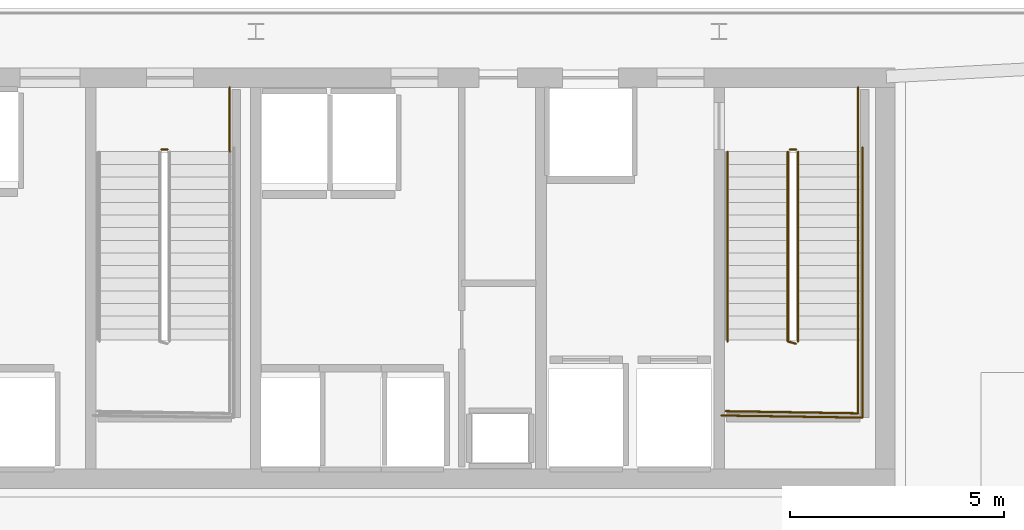
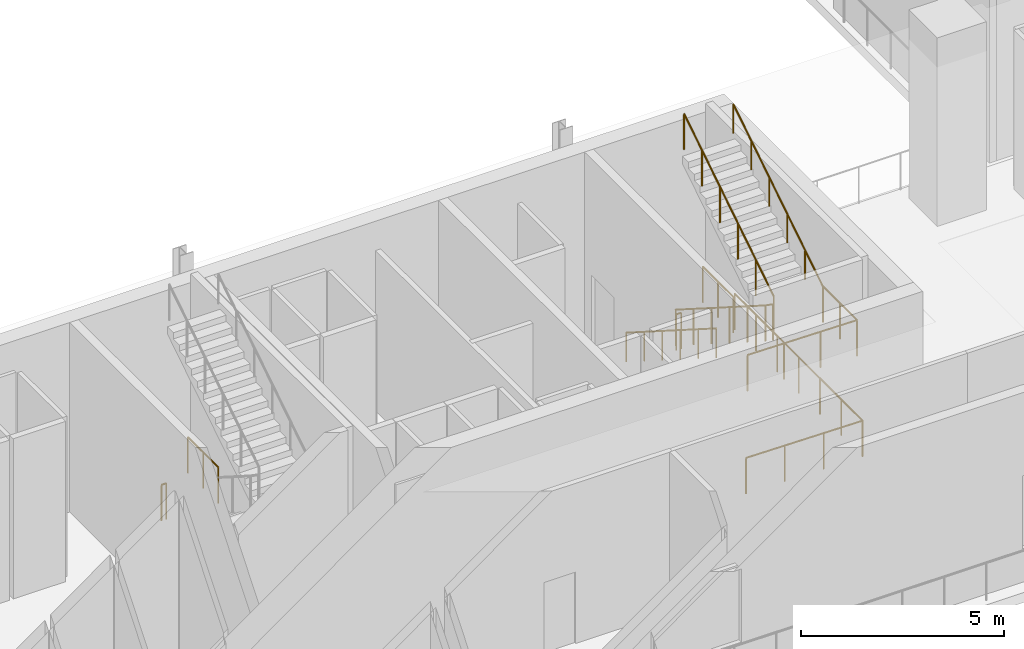
# One storey, part 20 of 29: 10 railings.
"""IFC4 building model written with IfcOpenShell, lengths in metres."""

from ifc_helpers import new_model, si_unit, direction, frame, origin, origin_2d, place, context, subcontext, project, spatial, circle, extrude, material, layer, layer_set, type_object, element, save


model = new_model("IFC4")

# Units and contexts
model_context = context("Model", 3, precision=1e-05, world=origin(), true_north=direction((0.0, 1.0)))
body_context = subcontext(model_context, "Body", "Model", "MODEL_VIEW")
ifc_project = project(units=[si_unit("LENGTHUNIT", "METRE"), si_unit("AREAUNIT", "SQUARE_METRE"), si_unit("VOLUMEUNIT", "CUBIC_METRE"), si_unit("PLANEANGLEUNIT", "RADIAN"), si_unit("MASSUNIT", "GRAM", prefix="KILO")], contexts=[model_context])

# Site, building, storey
site_placement = place(None, origin())
site = spatial("IfcSite", under=ifc_project, at=site_placement, CompositionType="ELEMENT")
building_placement = place(site_placement, origin())
building = spatial("IfcBuilding", under=site, at=building_placement, Name="Ndaravel Arena Tower", CompositionType="ELEMENT")
storey_placement = place(building_placement, frame((0.0, 0.0, 12.0)))
storey = spatial("IfcBuildingStorey", under=building, at=storey_placement, Name="L02", CompositionType="ELEMENT", Elevation=12.0)

# Railings
ifc_material_1 = material(Name="Steel S355", Category="steel")
ifc_layer_1 = layer(ifc_material_1, 0.06005859375)
ifc_layer_set_1 = layer_set([ifc_layer_1], Name="Steel S355")
railing_type_1 = type_object("IfcRailingType", Name="RAIL-STAIR-GD1100", PredefinedType="GUARDRAIL", material=ifc_layer_set_1)
railing_1_placement = place(storey_placement, frame((40.449951171875, 13.300048828125, 0.0)))
element("IfcRailing", 1, at=railing_1_placement, inside=storey, type_object=railing_type_1, Name="L02 ST-2 stair guard 4", PredefinedType="GUARDRAIL", context=body_context, shape_type="SweptSolid", body=[
    extrude(circle(Radius=0.02392578125, at=origin_2d()), frame((0.0, 0.0, 1.076171875), z_axis=(1.0, 0.0, 0.0), x_axis=(0.0, 1.0, 0.0)), (0.0, 0.0, 1.0), 0.14013671875),
    extrude(circle(Radius=0.02099609375, at=origin_2d()), origin(), (0.0, 0.0, 1.0), 1.052001953125),
    extrude(circle(Radius=0.02099609375, at=origin_2d()), frame((0.14013671875, 0.0, 0.0)), (0.0, 0.0, 1.0), 1.052001953125),
])
railing_2_placement = place(storey_placement, frame((42.0400390625, 14.75, 0.0)))
element("IfcRailing", 2, at=railing_2_placement, inside=storey, type_object=railing_type_1, Name="L02 ST-2 stair guard 5", PredefinedType="GUARDRAIL", context=body_context, shape_type="SweptSolid", body=[
    extrude(circle(Radius=0.02392578125, at=origin_2d()), frame((0.0, 0.0, 1.076171875), z_axis=(0.0, -1.0, 0.0), x_axis=(1.0, 0.0, 0.0)), (0.0, 0.0, 1.0), 1.5),
    extrude(circle(Radius=0.02099609375, at=origin_2d()), origin(), (0.0, 0.0, 1.0), 1.052001953125),
    extrude(circle(Radius=0.02099609375, at=origin_2d()), frame((0.0, -0.75, 0.0)), (0.0, 0.0, 1.0), 1.052001953125),
    extrude(circle(Radius=0.02099609375, at=origin_2d()), frame((0.0, -1.5, 0.0)), (0.0, 0.0, 1.0), 1.052001953125),
])
railing_3_placement = place(storey_placement, frame((55.050048828125, 13.25, 0.1875)))
element("IfcRailing", 3, at=railing_3_placement, inside=storey, type_object=railing_type_1, Name="L02 ST-3 stair guard 1", PredefinedType="GUARDRAIL", context=body_context, shape_type="SweptSolid", body=[
    extrude(circle(Radius=0.02392578125, at=origin_2d()), frame((0.0, 0.0, 1.076171875), z_axis=(0.0, -0.843958541447, 0.536408408136), x_axis=(1.0, 0.0, 0.0)), (0.0, 0.0, 1.0), 5.2431640625),
    extrude(circle(Radius=0.02392578125, at=origin_2d()), frame((0.0, -4.425048828125, 3.888671875), z_axis=(0.966993988697, -0.254799187253, 0.0), x_axis=(0.254799187253, 0.966993988697, 0.0)), (0.0, 0.0, 1.0), 0.196533203125),
    extrude(circle(Radius=0.02099609375, at=origin_2d()), origin(), (0.0, 0.0, 1.0), 1.052001953125),
    extrude(circle(Radius=0.02099609375, at=origin_2d()), frame((0.0, -0.885009765625, 0.5625)), (0.0, 0.0, 1.0), 1.052001953125),
    extrude(circle(Radius=0.02099609375, at=origin_2d()), frame((0.0, -1.77001953125, 1.125)), (0.0, 0.0, 1.0), 1.052001953125),
    extrude(circle(Radius=0.02099609375, at=origin_2d()), frame((0.0, -2.655029296875, 1.6875)), (0.0, 0.0, 1.0), 1.052001953125),
    extrude(circle(Radius=0.02099609375, at=origin_2d()), frame((0.0, -3.5400390625, 2.25)), (0.0, 0.0, 1.0), 1.052001953125),
    extrude(circle(Radius=0.02099609375, at=origin_2d()), frame((0.0, -4.425048828125, 2.8125)), (0.0, 0.0, 1.0), 1.052001953125),
    extrude(circle(Radius=0.02099609375, at=origin_2d()), frame((0.18994140625, -4.47509765625, 2.8125)), (0.0, 0.0, 1.0), 1.052001953125),
])
railing_4_placement = place(storey_placement, frame((56.68994140625, 8.824951171875, 3.0)))
element("IfcRailing", 4, at=railing_4_placement, inside=storey, type_object=railing_type_1, Name="L02 ST-3 stair guard 2", PredefinedType="GUARDRAIL", context=body_context, shape_type="SweptSolid", body=[
    extrude(circle(Radius=0.02392578125, at=origin_2d()), frame((0.0, 0.0, 1.076171875), z_axis=(0.0, -1.0, 0.0), x_axis=(1.0, 0.0, 0.0)), (0.0, 0.0, 1.0), 1.675048828125),
    extrude(circle(Radius=0.02392578125, at=origin_2d()), frame((0.0, -1.675048828125, 1.076171875), z_axis=(-0.999868840623, 0.016195726322, 0.0), x_axis=(-0.016195726322, -0.999868840623, 0.0)), (0.0, 0.0, 1.0), 3.09033203125),
    extrude(circle(Radius=0.02099609375, at=origin_2d()), origin(), (0.0, 0.0, 1.0), 1.052001953125),
    extrude(circle(Radius=0.02099609375, at=origin_2d()), frame((0.0, -0.83740234375, 0.0)), (0.0, 0.0, 1.0), 1.052001953125),
    extrude(circle(Radius=0.02099609375, at=origin_2d()), frame((0.0, -1.675048828125, 0.0)), (0.0, 0.0, 1.0), 1.052001953125),
    extrude(circle(Radius=0.02099609375, at=origin_2d()), frame((-1.030029296875, -1.658447265625, 0.0)), (0.0, 0.0, 1.0), 1.052001953125),
    extrude(circle(Radius=0.02099609375, at=origin_2d()), frame((-2.059814453125, -1.6416015625, 0.0)), (0.0, 0.0, 1.0), 1.052001953125),
    extrude(circle(Radius=0.02099609375, at=origin_2d()), frame((-3.08984375, -1.625, 0.0)), (0.0, 0.0, 1.0), 1.052001953125),
])
railing_5_placement = place(storey_placement, frame((55.2900390625, 8.824951171875, 3.1875)))
element("IfcRailing", 5, at=railing_5_placement, inside=storey, type_object=railing_type_1, Name="L02 ST-3 stair guard 3", PredefinedType="GUARDRAIL", context=body_context, shape_type="SweptSolid", body=[
    extrude(circle(Radius=0.02392578125, at=origin_2d()), frame((0.0, 0.0, 1.076171875), z_axis=(0.0, 0.843958541447, 0.536408408136), x_axis=(-1.0, 0.0, 0.0)), (0.0, 0.0, 1.0), 5.2431640625),
    extrude(circle(Radius=0.02099609375, at=origin_2d()), origin(), (0.0, 0.0, 1.0), 1.052001953125),
    extrude(circle(Radius=0.02099609375, at=origin_2d()), frame((0.0, 0.885009765625, 0.5625)), (0.0, 0.0, 1.0), 1.052001953125),
    extrude(circle(Radius=0.02099609375, at=origin_2d()), frame((0.0, 1.77001953125, 1.125)), (0.0, 0.0, 1.0), 1.052001953125),
    extrude(circle(Radius=0.02099609375, at=origin_2d()), frame((0.0, 2.655029296875, 1.6875)), (0.0, 0.0, 1.0), 1.052001953125),
    extrude(circle(Radius=0.02099609375, at=origin_2d()), frame((0.0, 3.5400390625, 2.25)), (0.0, 0.0, 1.0), 1.052001953125),
    extrude(circle(Radius=0.02099609375, at=origin_2d()), frame((0.0, 4.425048828125, 2.8125)), (0.0, 0.0, 1.0), 1.052001953125),
])
railing_6_placement = place(storey_placement, frame((55.10009765625, 13.300048828125, 0.0)))
element("IfcRailing", 6, at=railing_6_placement, inside=storey, type_object=railing_type_1, Name="L02 ST-3 stair guard 4", PredefinedType="GUARDRAIL", context=body_context, shape_type="SweptSolid", body=[
    extrude(circle(Radius=0.02392578125, at=origin_2d()), frame((0.0, 0.0, 1.076171875), z_axis=(1.0, 0.0, 0.0), x_axis=(0.0, 1.0, 0.0)), (0.0, 0.0, 1.0), 0.139892578125),
    extrude(circle(Radius=0.02099609375, at=origin_2d()), origin(), (0.0, 0.0, 1.0), 1.052001953125),
    extrude(circle(Radius=0.02099609375, at=origin_2d()), frame((0.139892578125, 0.0, 0.0)), (0.0, 0.0, 1.0), 1.052001953125),
])
railing_7_placement = place(storey_placement, frame((56.68994140625, 14.75, 0.0)))
element("IfcRailing", 7, at=railing_7_placement, inside=storey, type_object=railing_type_1, Name="L02 ST-3 stair guard 5", PredefinedType="GUARDRAIL", context=body_context, shape_type="SweptSolid", body=[
    extrude(circle(Radius=0.02392578125, at=origin_2d()), frame((0.0, 0.0, 1.076171875), z_axis=(0.0, -1.0, 0.0), x_axis=(1.0, 0.0, 0.0)), (0.0, 0.0, 1.0), 1.5),
    extrude(circle(Radius=0.02099609375, at=origin_2d()), origin(), (0.0, 0.0, 1.0), 1.052001953125),
    extrude(circle(Radius=0.02099609375, at=origin_2d()), frame((0.0, -0.75, 0.0)), (0.0, 0.0, 1.0), 1.052001953125),
    extrude(circle(Radius=0.02099609375, at=origin_2d()), frame((0.0, -1.5, 0.0)), (0.0, 0.0, 1.0), 1.052001953125),
])
railing_8_placement = place(storey_placement, frame((56.7900390625, 13.35009765625, 0.0)))
element("IfcRailing", 8, at=railing_8_placement, inside=storey, type_object=railing_type_1, Name="L02 ST-3 stair guard 6", PredefinedType="GUARDRAIL", context=body_context, shape_type="SweptSolid", body=[
    extrude(circle(Radius=0.02392578125, at=origin_2d()), frame((0.0, 0.0, 1.076171875), z_axis=(0.0, -1.0, 0.0), x_axis=(1.0, 0.0, 0.0)), (0.0, 0.0, 1.0), 6.300048828125),
    extrude(circle(Radius=0.02392578125, at=origin_2d()), frame((0.0, -6.300048828125, 1.076171875), z_axis=(-0.99988431412, 0.015210469308, 0.0), x_axis=(-0.015210469308, -0.99988431412, 0.0)), (0.0, 0.0, 1.0), 3.29052734375),
    extrude(circle(Radius=0.02099609375, at=origin_2d()), origin(), (0.0, 0.0, 1.0), 1.052001953125),
    extrude(circle(Radius=0.02099609375, at=origin_2d()), frame((0.0, -1.050048828125, 0.0)), (0.0, 0.0, 1.0), 1.052001953125),
    extrude(circle(Radius=0.02099609375, at=origin_2d()), frame((0.0, -2.10009765625, 0.0)), (0.0, 0.0, 1.0), 1.052001953125),
    extrude(circle(Radius=0.02099609375, at=origin_2d()), frame((0.0, -3.14990234375, 0.0)), (0.0, 0.0, 1.0), 1.052001953125),
    extrude(circle(Radius=0.02099609375, at=origin_2d()), frame((0.0, -4.199951171875, 0.0)), (0.0, 0.0, 1.0), 1.052001953125),
    extrude(circle(Radius=0.02099609375, at=origin_2d()), frame((0.0, -5.25, 0.0)), (0.0, 0.0, 1.0), 1.052001953125),
    extrude(circle(Radius=0.02099609375, at=origin_2d()), frame((0.0, -6.300048828125, 0.0)), (0.0, 0.0, 1.0), 1.052001953125),
    extrude(circle(Radius=0.02099609375, at=origin_2d()), frame((-1.0966796875, -6.283447265625, 0.0)), (0.0, 0.0, 1.0), 1.052001953125),
    extrude(circle(Radius=0.02099609375, at=origin_2d()), frame((-2.193359375, -6.2666015625, 0.0)), (0.0, 0.0, 1.0), 1.052001953125),
    extrude(circle(Radius=0.02099609375, at=origin_2d()), frame((-3.2900390625, -6.25, 0.0)), (0.0, 0.0, 1.0), 1.052001953125),
])
ifc_material_2 = material(Name="Steel S355", Category="steel")
ifc_layer_2 = layer(ifc_material_2, 0.050048828125)
ifc_layer_set_2 = layer_set([ifc_layer_2], Name="Steel S355")
railing_type_2 = type_object("IfcRailingType", Name="RAIL-STAIR-HR920", PredefinedType="HANDRAIL", material=ifc_layer_set_2)
railing_9_placement = place(storey_placement, frame((53.64990234375, 13.25, 0.1875)))
element("IfcRailing", 9, at=railing_9_placement, inside=storey, type_object=railing_type_2, Name="L02 ST-3 stair handrail 1", PredefinedType="HANDRAIL", context=body_context, shape_type="SweptSolid", body=[
    extrude(circle(Radius=0.02392578125, at=origin_2d()), frame((0.0, 0.0, 0.8759765625), z_axis=(0.0, -0.843958541447, 0.536408408136), x_axis=(1.0, 0.0, 0.0)), (0.0, 0.0, 1.0), 5.2431640625),
    extrude(circle(Radius=0.02099609375, at=origin_2d()), origin(), (0.0, 0.0, 1.0), 0.851806640625),
    extrude(circle(Radius=0.02099609375, at=origin_2d()), frame((0.0, -0.885009765625, 0.5625)), (0.0, 0.0, 1.0), 0.851806640625),
    extrude(circle(Radius=0.02099609375, at=origin_2d()), frame((0.0, -1.77001953125, 1.125)), (0.0, 0.0, 1.0), 0.851806640625),
    extrude(circle(Radius=0.02099609375, at=origin_2d()), frame((0.0, -2.655029296875, 1.6875)), (0.0, 0.0, 1.0), 0.851806640625),
    extrude(circle(Radius=0.02099609375, at=origin_2d()), frame((0.0, -3.5400390625, 2.25)), (0.0, 0.0, 1.0), 0.851806640625),
    extrude(circle(Radius=0.02099609375, at=origin_2d()), frame((0.0, -4.425048828125, 2.8125)), (0.0, 0.0, 1.0), 0.851806640625),
])
railing_10_placement = place(storey_placement, frame((56.68994140625, 8.824951171875, 3.1875)))
element("IfcRailing", 10, at=railing_10_placement, inside=storey, type_object=railing_type_2, Name="L02 ST-3 stair handrail 2", PredefinedType="HANDRAIL", context=body_context, shape_type="SweptSolid", body=[
    extrude(circle(Radius=0.02392578125, at=origin_2d()), frame((0.0, 0.0, 0.8759765625), z_axis=(0.0, 0.843958541447, 0.536408408136), x_axis=(-1.0, 0.0, 0.0)), (0.0, 0.0, 1.0), 5.2431640625),
    extrude(circle(Radius=0.02099609375, at=origin_2d()), origin(), (0.0, 0.0, 1.0), 0.851806640625),
    extrude(circle(Radius=0.02099609375, at=origin_2d()), frame((0.0, 0.885009765625, 0.5625)), (0.0, 0.0, 1.0), 0.851806640625),
    extrude(circle(Radius=0.02099609375, at=origin_2d()), frame((0.0, 1.77001953125, 1.125)), (0.0, 0.0, 1.0), 0.851806640625),
    extrude(circle(Radius=0.02099609375, at=origin_2d()), frame((0.0, 2.655029296875, 1.6875)), (0.0, 0.0, 1.0), 0.851806640625),
    extrude(circle(Radius=0.02099609375, at=origin_2d()), frame((0.0, 3.5400390625, 2.25)), (0.0, 0.0, 1.0), 0.851806640625),
    extrude(circle(Radius=0.02099609375, at=origin_2d()), frame((0.0, 4.425048828125, 2.8125)), (0.0, 0.0, 1.0), 0.851806640625),
])

save(model, "model.ifc")
